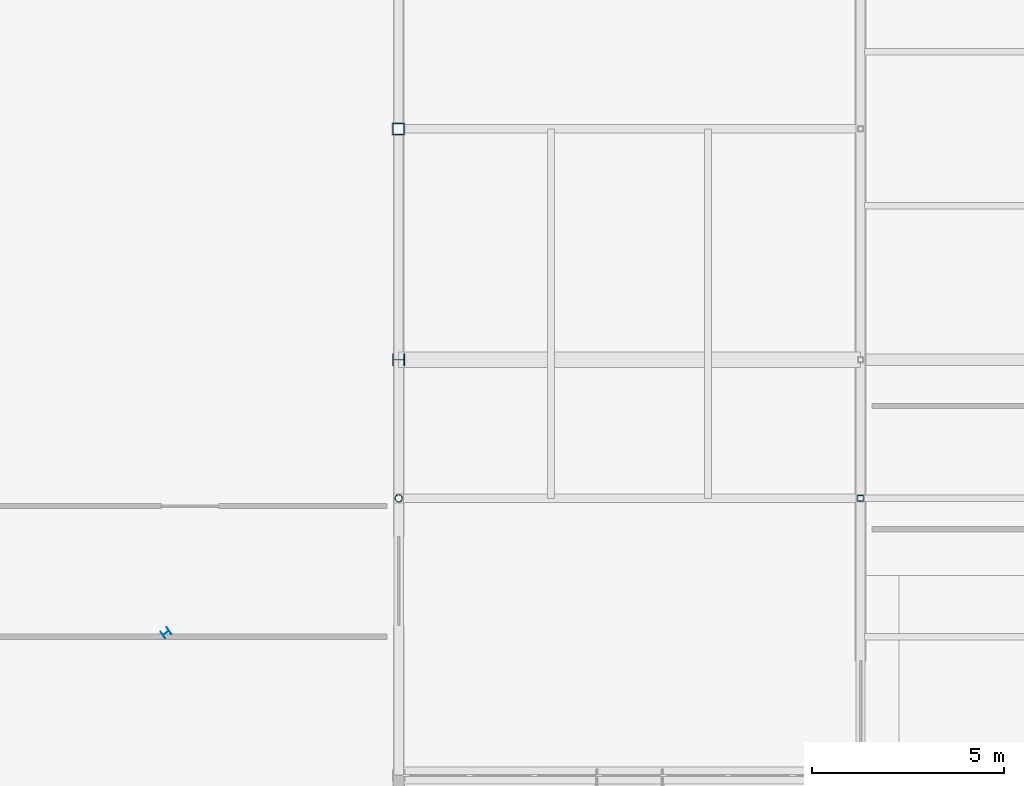
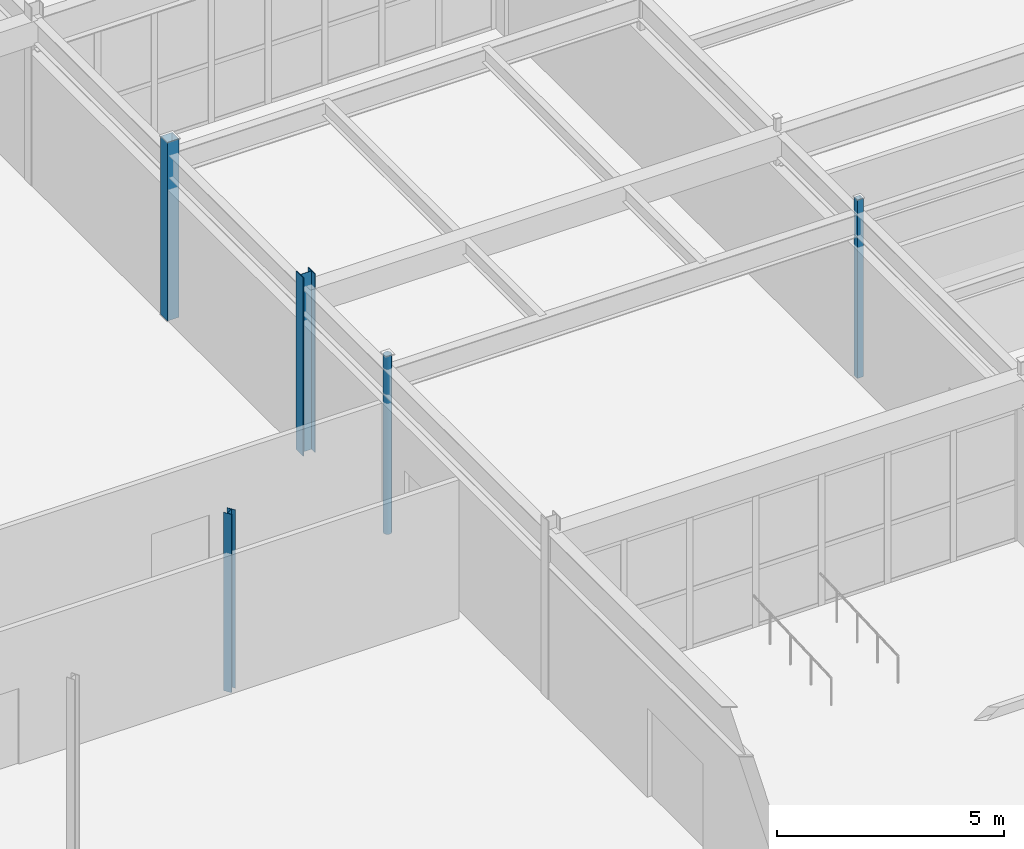
# One storey, part 39 of 199: 5 columns.
"""IFC4 building model written with IfcOpenShell, lengths in metres."""

from ifc_helpers import new_model, si_unit, direction, frame, origin, origin_2d, place, context, subcontext, project, spatial, hollow_rectangle, hollow_circle, i_section, extrude, material, material_profile, profile_set, type_object, element, save


model = new_model("IFC4")

# Units and contexts
model_context = context("Model", 3, precision=1e-05, world=origin(), true_north=direction((0.0, 1.0)))
body_context = subcontext(model_context, "Body", "Model", "MODEL_VIEW")
ifc_project = project(units=[si_unit("LENGTHUNIT", "METRE"), si_unit("AREAUNIT", "SQUARE_METRE"), si_unit("VOLUMEUNIT", "CUBIC_METRE"), si_unit("PLANEANGLEUNIT", "RADIAN"), si_unit("MASSUNIT", "GRAM", prefix="KILO")], contexts=[model_context])

# Site, building, storey
site_placement = place(None, origin())
site = spatial("IfcSite", under=ifc_project, at=site_placement, CompositionType="ELEMENT")
building_placement = place(site_placement, origin())
building = spatial("IfcBuilding", under=site, at=building_placement, Name="Tarnwether General Hospital", CompositionType="ELEMENT")
storey_placement = place(building_placement, origin())
storey = spatial("IfcBuildingStorey", under=building, at=storey_placement, Name="L00", CompositionType="ELEMENT", Elevation=0.0)

# Columns
ifc_material_1 = material(Name="Steel Grade 350 (350 MPa)", Category="steel")
ifc_material_profile_1 = material_profile(ifc_material_1, i_section(OverallWidth=0.306884765625, OverallDepth=0.31494140625, WebThickness=0.011962890625, FlangeThickness=0.018798828125, at=origin_2d()), Name="310UC118")
ifc_profile_set_1 = profile_set([ifc_material_profile_1], Name="Steel Grade 350 (350 MPa)")
column_type_1 = type_object("IfcColumnType", Name="COL-07", PredefinedType="COLUMN", material=ifc_profile_set_1)
column_1_placement = place(storey_placement, frame((132.0, 21.60009765625, 0.0), z_axis=(0.0, 0.0, 1.0), x_axis=(0.0, 1.0, 0.0)))
element("IfcColumn", 1, at=column_1_placement, inside=storey, type_object=column_type_1, Name="Column COLG-L00-13200_2160", PredefinedType="COLUMN", context=body_context, shape_type="SweptSolid", body=[
    extrude(i_section(OverallWidth=0.306884765625, OverallDepth=0.31494140625, WebThickness=0.011962890625, FlangeThickness=0.018798828125, at=origin_2d()), origin(), (0.0, 0.0, 1.0), 4.800048828125),
])
ifc_material_2 = material(Name="Steel Grade 350 (350 MPa)", Category="steel")
ifc_material_profile_2 = material_profile(ifc_material_2, i_section(OverallWidth=0.202880859375, OverallDepth=0.202880859375, WebThickness=0.00732421875, FlangeThickness=0.010986328125, at=origin_2d()), Name="200UC46.2")
ifc_profile_set_2 = profile_set([ifc_material_profile_2], Name="Steel Grade 350 (350 MPa)")
column_type_2 = type_object("IfcColumnType", Name="COL-27", PredefinedType="COLUMN", material=ifc_profile_set_2)
column_2_placement = place(storey_placement, frame((125.9560546875, 14.506103515625, 0.0), z_axis=(0.0, 0.0, 1.0), x_axis=(-0.573576436351, 0.819152044289, 0.0)))
element("IfcColumn", 2, at=column_2_placement, inside=storey, type_object=column_type_2, Name="Column COLG-L00-12596_1451", PredefinedType="COLUMN", context=body_context, shape_type="SweptSolid", body=[
    extrude(i_section(OverallWidth=0.202880859375, OverallDepth=0.202880859375, WebThickness=0.00732421875, FlangeThickness=0.010986328125, at=origin_2d()), origin(), (0.0, 0.0, 1.0), 4.800048828125),
])
ifc_material_3 = material(Name="Steel Grade C350L0 (350 MPa)", Category="steel")
ifc_material_profile_3 = material_profile(ifc_material_3, hollow_circle(Radius=0.096923828125, WallThickness=0.008056640625, at=origin_2d()), Name="CHS193.7x8.0")
ifc_profile_set_3 = profile_set([ifc_material_profile_3], Name="Steel Grade C350L0 (350 MPa)")
column_type_3 = type_object("IfcColumnType", Name="COL-29", PredefinedType="COLUMN", material=ifc_profile_set_3)
column_3_placement = place(storey_placement, frame((132.0, 18.0, 0.0), z_axis=(0.0, 0.0, 1.0), x_axis=(1.0, 0.0, 0.0)))
element("IfcColumn", 3, at=column_3_placement, inside=storey, type_object=column_type_3, Name="Column COLG-L00-13200_1800", PredefinedType="COLUMN", context=body_context, shape_type="SweptSolid", body=[
    extrude(hollow_circle(Radius=0.096923828125, WallThickness=0.008056640625, at=origin_2d()), origin(), (0.0, 0.0, 1.0), 4.800048828125),
])
ifc_material_4 = material(Name="Steel Grade C350L0 (350 MPa)", Category="steel")
ifc_material_profile_4 = material_profile(ifc_material_4, hollow_rectangle(XDim=0.300048828125, YDim=0.300048828125, WallThickness=0.012451171875, at=origin_2d()), Name="SHS300x300x12.5")
ifc_profile_set_4 = profile_set([ifc_material_profile_4], Name="Steel Grade C350L0 (350 MPa)")
column_type_4 = type_object("IfcColumnType", Name="COL-30", PredefinedType="COLUMN", material=ifc_profile_set_4)
column_4_placement = place(storey_placement, frame((132.0, 27.60009765625, 0.0), z_axis=(0.0, 0.0, 1.0), x_axis=(1.0, 0.0, 0.0)))
element("IfcColumn", 4, at=column_4_placement, inside=storey, type_object=column_type_4, Name="Column COLG-L00-13200_2760", PredefinedType="COLUMN", context=body_context, shape_type="SweptSolid", body=[
    extrude(hollow_rectangle(XDim=0.300048828125, YDim=0.300048828125, WallThickness=0.012451171875, at=origin_2d()), origin(), (0.0, 0.0, 1.0), 4.800048828125),
])
ifc_material_5 = material(Name="Steel Grade C350L0 (350 MPa)", Category="steel")
ifc_material_profile_5 = material_profile(ifc_material_5, hollow_rectangle(XDim=0.14990234375, YDim=0.14990234375, WallThickness=0.008056640625, at=origin_2d()), Name="SHS150x150x8")
ifc_profile_set_5 = profile_set([ifc_material_profile_5], Name="Steel Grade C350L0 (350 MPa)")
column_type_5 = type_object("IfcColumnType", Name="COL-33", PredefinedType="COLUMN", material=ifc_profile_set_5)
column_5_placement = place(storey_placement, frame((144.0, 18.0, 0.0), z_axis=(0.0, 0.0, 1.0), x_axis=(1.0, 0.0, 0.0)))
element("IfcColumn", 5, at=column_5_placement, inside=storey, type_object=column_type_5, Name="Column COLG-L00-14400_1800", PredefinedType="COLUMN", context=body_context, shape_type="SweptSolid", body=[
    extrude(hollow_rectangle(XDim=0.14990234375, YDim=0.14990234375, WallThickness=0.008056640625, at=origin_2d()), origin(), (0.0, 0.0, 1.0), 4.800048828125),
])

save(model, "model.ifc")
